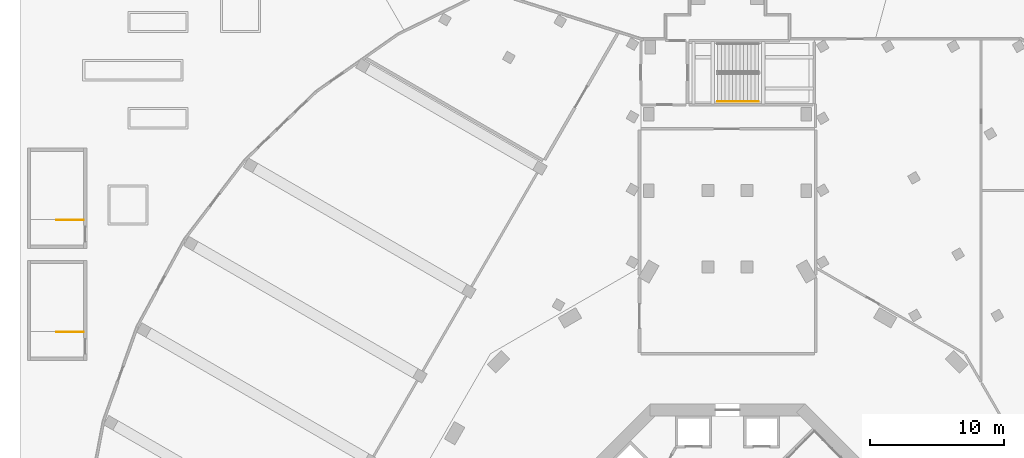
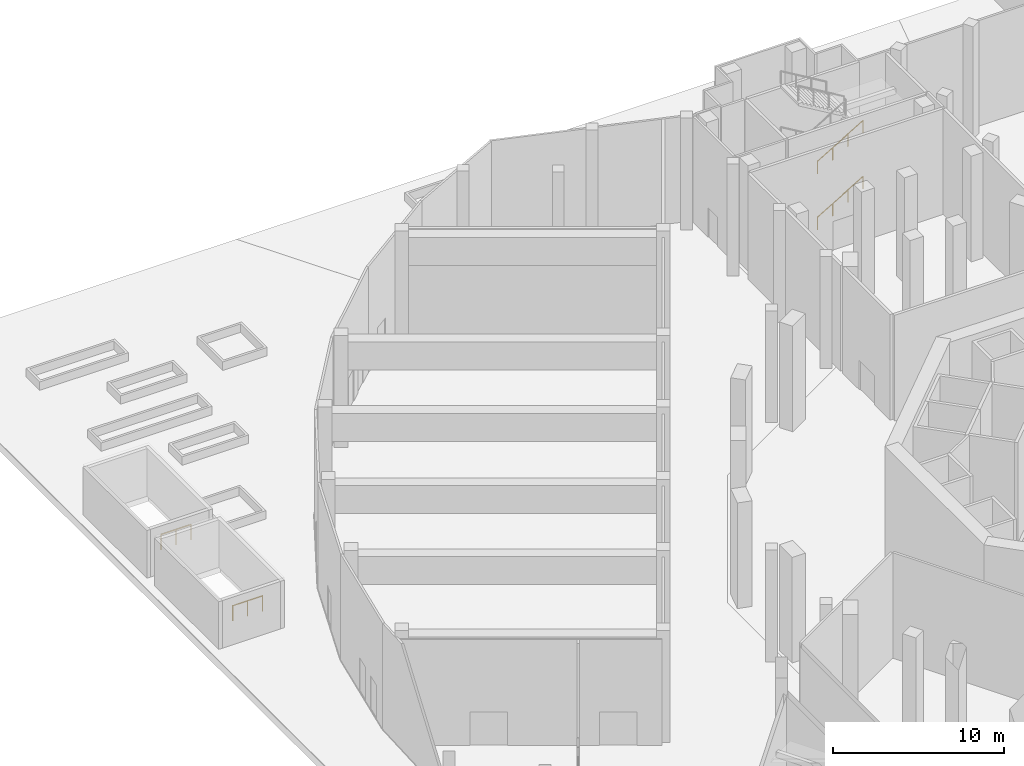
# One storey, part 27 of 30: 4 railings.
"""IFC4 building model written with IfcOpenShell, lengths in metres."""

from ifc_helpers import new_model, si_unit, direction, frame, origin, origin_2d, place, context, subcontext, project, spatial, circle, extrude, material, type_object, element, save


model = new_model("IFC4")

# Units and contexts
model_context = context("Model", 3, precision=1e-05, world=origin(), true_north=direction((0.0, 1.0)))
body_context = subcontext(model_context, "Body", "Model", "MODEL_VIEW")
ifc_project = project(units=[si_unit("LENGTHUNIT", "METRE"), si_unit("AREAUNIT", "SQUARE_METRE"), si_unit("VOLUMEUNIT", "CUBIC_METRE"), si_unit("PLANEANGLEUNIT", "RADIAN"), si_unit("MASSUNIT", "GRAM", prefix="KILO")], contexts=[model_context])

# Site, building, storey
site_placement = place(None, origin())
site = spatial("IfcSite", under=ifc_project, at=site_placement, CompositionType="ELEMENT")
building_placement = place(site_placement, origin())
building = spatial("IfcBuilding", under=site, at=building_placement, Name="Verdalira Terraces Hotel", CompositionType="ELEMENT")
storey_placement = place(building_placement, origin())
storey = spatial("IfcBuildingStorey", under=building, at=storey_placement, Name="L00", CompositionType="ELEMENT", Elevation=0.0)

# Railings
ifc_material_1 = material(Name="Stainless steel", Category="steel")
railing_type_1 = type_object("IfcRailingType", Name="Stair guard 1100", PredefinedType="GUARDRAIL", material=ifc_material_1)
for number, where, name in (
    (1, (-48.25, 27.774902, 0.0), "L00 Basement stair 4 top well guard 1"),
    (2, (-48.25, 19.375, 0.0), "L00 Basement stair 7 top well guard 1"),
):
    element("IfcRailing", number, at=place(storey_placement, frame(where)), inside=storey, type_object=railing_type_1, Name=name, PredefinedType="GUARDRAIL", context=body_context, shape_type="SweptSolid", body=[
        extrude(circle(Radius=0.023926, at=origin_2d()), frame((0.0, 0.0, 1.076172), z_axis=(-1.0, 0.0, 0.0), x_axis=(0.0, -1.0, 0.0)), (0.0, 0.0, 1.0), 2.024902),
        extrude(circle(Radius=0.020996, at=origin_2d()), origin(), (0.0, 0.0, 1.0), 1.052002),
        extrude(circle(Radius=0.020996, at=origin_2d()), frame((-1.012451, 0.0, 0.0)), (0.0, 0.0, 1.0), 1.052002),
        extrude(circle(Radius=0.020996, at=origin_2d()), frame((-2.024902, 0.0, 0.0)), (0.0, 0.0, 1.0), 1.052002),
    ])
ifc_material_2 = material(Name="Stainless steel", Category="steel")
railing_type_2 = type_object("IfcRailingType", Name="Stair handrail 900", PredefinedType="HANDRAIL", material=ifc_material_2)
for number, where, name in (
    (3, (-0.75, 36.649902, 0.166748), "L00 PS1 stair handrail 1"),
    (4, (-0.75, 36.649902, 4.166748), "L00 PS1 stair handrail 3"),
):
    element("IfcRailing", number, at=place(storey_placement, frame(where)), inside=storey, type_object=railing_type_2, Name=name, PredefinedType="HANDRAIL", context=body_context, shape_type="SweptSolid", body=[
        extrude(circle(Radius=0.023926, at=origin_2d()), frame((0.0, 0.0, 0.875977), z_axis=(0.859308565, 0.0, 0.511457515), x_axis=(0.0, 1.0, 0.0)), (0.0, 0.0, 1.0), 3.584473),
        extrude(circle(Radius=0.020996, at=origin_2d()), origin(), (0.0, 0.0, 1.0), 0.851807),
        extrude(circle(Radius=0.020996, at=origin_2d()), frame((1.026611, 0.0, 0.611084)), (0.0, 0.0, 1.0), 0.851807),
        extrude(circle(Radius=0.020996, at=origin_2d()), frame((2.053467, 0.0, 1.222168)), (0.0, 0.0, 1.0), 0.851807),
        extrude(circle(Radius=0.020996, at=origin_2d()), frame((3.080078, 0.0, 1.833252)), (0.0, 0.0, 1.0), 0.851807),
    ])

save(model, "model.ifc")
